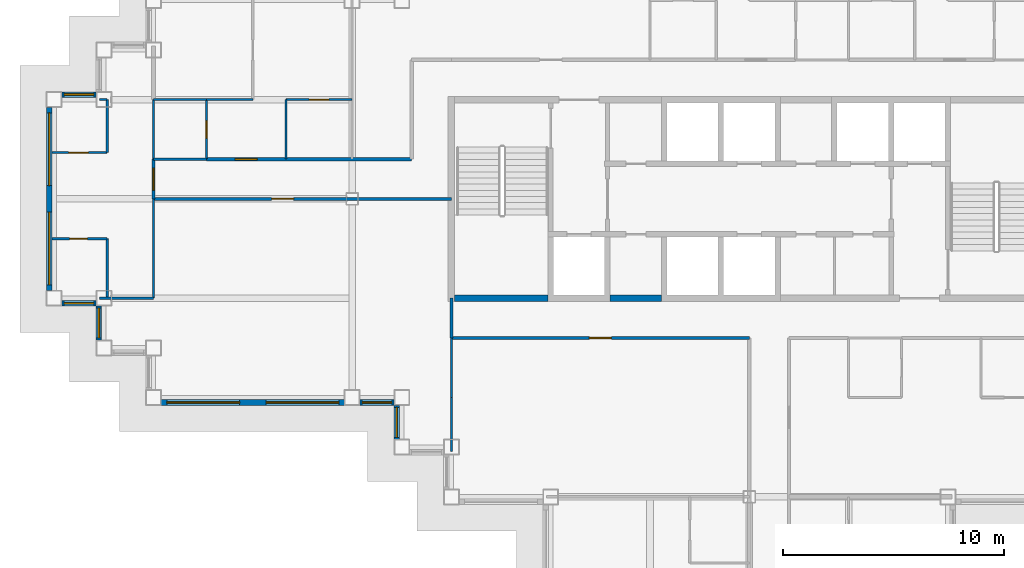
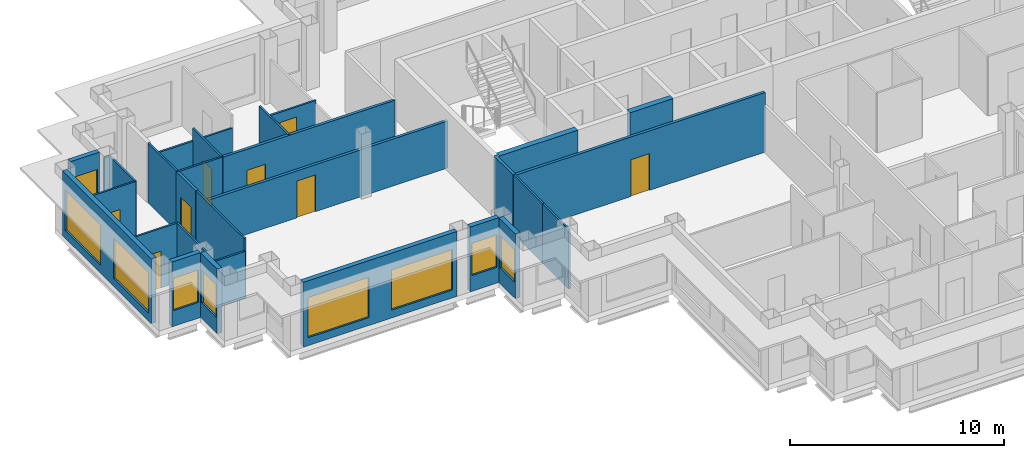
# One storey, part 3 of 12: 30 walls, 9 windows, 8 doors, 17 openings.
"""IFC4 building model written with IfcOpenShell, lengths in metres."""

from ifc_helpers import new_model, si_unit, direction, frame, frame_2d, origin, place, context, subcontext, project, spatial, rectangle, extrude, material, layer, layer_set, type_object, element, fill, save


model = new_model("IFC4")

# Units and contexts
model_context = context("Model", 3, precision=1e-05, world=origin(), true_north=direction((0.0, 1.0)))
body_context = subcontext(model_context, "Body", "Model", "MODEL_VIEW")
ifc_project = project(units=[si_unit("LENGTHUNIT", "METRE"), si_unit("AREAUNIT", "SQUARE_METRE"), si_unit("VOLUMEUNIT", "CUBIC_METRE"), si_unit("PLANEANGLEUNIT", "RADIAN"), si_unit("MASSUNIT", "GRAM", prefix="KILO")], contexts=[model_context])

# Site, building, storey
site_placement = place(None, origin())
site = spatial("IfcSite", under=ifc_project, at=site_placement, CompositionType="ELEMENT")
building_placement = place(site_placement, origin())
building = spatial("IfcBuilding", under=site, at=building_placement, Name="Caravel Reach Hotel and Residences", CompositionType="ELEMENT")
storey_placement = place(building_placement, frame((0.0, 0.0, 196.10009765625)))
storey = spatial("IfcBuildingStorey", under=building, at=storey_placement, Name="L49", CompositionType="ELEMENT", Elevation=196.10009765625)

# Wall, opening, door
ifc_material_1 = material(Name="Gypsum board on steel stud", Category="steel")
ifc_layer_1 = layer(ifc_material_1, 0.10009765625)
ifc_layer_set_1 = layer_set([ifc_layer_1], Name="Bathroom pod wall 100 mm")
wall_type_1 = type_object("IfcWallType", Name="Bathroom pod wall 100 mm", PredefinedType="PARTITIONING", material=ifc_layer_set_1)
wall_1_placement = place(storey_placement, frame((-0.10009765625, 25.199951171875, 0.0), z_axis=(0.0, 0.0, 1.0), x_axis=(1.0, 0.0, 0.0)))
wall_1 = element("IfcWall", 1, at=wall_1_placement, inside=storey, type_object=wall_type_1, Name="L49 wall w080", PredefinedType="PARTITIONING", context=body_context, shape_type="SweptSolid", body=[
    extrude(rectangle(XDim=2.5, YDim=0.10009765625, at=frame_2d((1.25, 0.0))), origin(), (0.0, 0.0, 1.0), 3.39990234375),
])
opening_1_placement = place(wall_1_placement, frame((0.800048828125, 0.0, 0.0)))
opening_1 = element("IfcOpeningElement", 2, at=opening_1_placement, cuts=wall_1, Name="Opening D49-044", PredefinedType="OPENING", context=body_context, shape_type="SweptSolid", body=[
    extrude(rectangle(XDim=0.800048828125, YDim=2.10009765625, at=frame_2d((0.39990234375, 1.050048828125))), frame((0.0, 0.06005859375, 0.0), z_axis=(0.0, -1.0, 0.0), x_axis=(1.0, 0.0, 0.0)), (0.0, 0.0, 1.0), 0.1201171875),
])
ifc_material_2 = material(Name="Timber and steel door leaf", Category="steel")
door_type_1 = type_object("IfcDoorType", Name="Bathroom door 800 x 2100", OperationType="SINGLE_SWING_LEFT", PredefinedType="DOOR", material=ifc_material_2)
door_1_placement = place(opening_1_placement, origin())
door_1 = element("IfcDoor", 3, at=door_1_placement, inside=storey, type_object=door_type_1, Name="door D49-044", OperationType="SINGLE_SWING_RIGHT", OverallHeight=2.10009765625, OverallWidth=0.800048828125, PredefinedType="DOOR", context=body_context, shape_type="SweptSolid", body=[
    extrude(rectangle(XDim=0.800048828125, YDim=2.10009765625, at=frame_2d((0.39990234375, 1.050048828125))), frame((0.0, 0.02490234375, 0.0), z_axis=(0.0, -1.0, 0.0), x_axis=(1.0, 0.0, 0.0)), (0.0, 0.0, 1.0), 0.050048828125),
])
fill(opening_1, door_1)

# Walls
wall_2_placement = place(storey_placement, frame((4.5, 28.800048828125, 0.0), z_axis=(0.0, 0.0, 1.0), x_axis=(1.0, 0.0, 0.0)))
element("IfcWall", 4, at=wall_2_placement, inside=storey, type_object=wall_type_1, Name="L49 wall w081", PredefinedType="PARTITIONING", context=body_context, shape_type="SweptSolid", body=[
    extrude(rectangle(XDim=2.39990234375, YDim=0.10009765625, at=frame_2d((1.199951171875, 0.0))), origin(), (0.0, 0.0, 1.0), 3.39990234375),
])
wall_3_placement = place(storey_placement, frame((4.5, 31.5, 0.0), z_axis=(0.0, 0.0, 1.0), x_axis=(1.0, 0.0, 0.0)))
element("IfcWall", 5, at=wall_3_placement, inside=storey, type_object=wall_type_1, Name="L49 wall w082", PredefinedType="PARTITIONING", context=body_context, shape_type="SweptSolid", body=[
    extrude(rectangle(XDim=2.39990234375, YDim=0.10009765625, at=frame_2d((1.199951171875, 0.0))), origin(), (0.0, 0.0, 1.0), 2.679931640625),
])
for number, where, z_axis, x_axis, name in (
    (6, (2.39990234375, 22.5, 0.0), (0.0, 0.0, 1.0), (0.0, 1.0, 0.0), "L49 wall w092"),
    (7, (4.5, 28.800048828125, 0.0), (0.0, 0.0, 1.0), (0.0, 1.0, 0.0), "L49 wall w103"),
):
    element("IfcWall", number, at=place(storey_placement, frame(where, z_axis=z_axis, x_axis=x_axis)), inside=storey, type_object=wall_type_1, Name=name, PredefinedType="PARTITIONING", context=body_context, shape_type="SweptSolid", body=[
        extrude(rectangle(XDim=2.699951171875, YDim=0.10009765625, at=frame_2d((1.35009765625, 0.0))), origin(), (0.0, 0.0, 1.0), 3.39990234375),
    ])

# Wall, opening, door
wall_4_placement = place(storey_placement, frame((6.89990234375, 28.800048828125, 0.0), z_axis=(0.0, 0.0, 1.0), x_axis=(0.0, 1.0, 0.0)))
wall_4 = element("IfcWall", 8, at=wall_4_placement, inside=storey, type_object=wall_type_1, Name="L49 wall w107", PredefinedType="PARTITIONING", context=body_context, shape_type="SweptSolid", body=[
    extrude(rectangle(XDim=2.699951171875, YDim=0.10009765625, at=frame_2d((1.35009765625, 0.0))), origin(), (0.0, 0.0, 1.0), 3.39990234375),
])
opening_2_placement = place(wall_4_placement, frame((0.949951171875, 0.0, 0.0)))
opening_2 = element("IfcOpeningElement", 9, at=opening_2_placement, cuts=wall_4, Name="Opening D49-027", PredefinedType="OPENING", context=body_context, shape_type="SweptSolid", body=[
    extrude(rectangle(XDim=0.800048828125, YDim=2.10009765625, at=frame_2d((0.39990234375, 1.050048828125))), frame((0.0, 0.06005859375, 0.0), z_axis=(0.0, -1.0, 0.0), x_axis=(1.0, 0.0, 0.0)), (0.0, 0.0, 1.0), 0.1201171875),
])
door_2_placement = place(opening_2_placement, origin())
door_2 = element("IfcDoor", 10, at=door_2_placement, inside=storey, type_object=door_type_1, Name="door D49-027", OperationType="SINGLE_SWING_LEFT", OverallHeight=2.10009765625, OverallWidth=0.800048828125, PredefinedType="DOOR", context=body_context, shape_type="SweptSolid", body=[
    extrude(rectangle(XDim=0.800048828125, YDim=2.10009765625, at=frame_2d((0.39990234375, 1.050048828125))), frame((0.0, 0.02490234375, 0.0), z_axis=(0.0, -1.0, 0.0), x_axis=(1.0, 0.0, 0.0)), (0.0, 0.0, 1.0), 0.050048828125),
])
fill(opening_2, door_2)

# Walls
ifc_material_3 = material(Name="Concrete C60", Category="concrete")
ifc_layer_2 = layer(ifc_material_3, 0.300048828125)
ifc_layer_set_2 = layer_set([ifc_layer_2], Name="Core wall 300 mm EI 120")
wall_type_2 = type_object("IfcWallType", Name="Core wall 300 mm EI 120", PredefinedType="SHEAR", material=ifc_layer_set_2)
wall_5_placement = place(storey_placement, frame((18.14990234375, 22.5, 0.0), z_axis=(0.0, 0.0, 1.0), x_axis=(1.0, 0.0, 0.0)))
element("IfcWall", 11, at=wall_5_placement, inside=storey, type_object=wall_type_2, Name="L49 core wall S1", PredefinedType="SHEAR", context=body_context, shape_type="SweptSolid", body=[
    extrude(rectangle(XDim=4.22509765625, YDim=0.300048828125, at=frame_2d((2.112548828125, 0.0))), origin(), (0.0, 0.0, 1.0), 3.39990234375),
])
wall_6_placement = place(storey_placement, frame((25.196533203125, 22.5, 0.0), z_axis=(0.0, 0.0, 1.0), x_axis=(1.0, 0.0, 0.0)))
element("IfcWall", 12, at=wall_6_placement, inside=storey, type_object=wall_type_2, Name="L49 core wall S2", PredefinedType="SHEAR", context=body_context, shape_type="SweptSolid", body=[
    extrude(rectangle(XDim=2.3212890625, YDim=0.300048828125, at=frame_2d((1.16064453125, 0.0))), origin(), (0.0, 0.0, 1.0), 3.39990234375),
])

# Wall, opening, door
ifc_material_4 = material(Name="Gypsum board on steel stud, fire-rated", Category="steel")
ifc_layer_3 = layer(ifc_material_4, 0.14990234375)
ifc_layer_set_3 = layer_set([ifc_layer_3], Name="Corridor wall 150 mm EI 60")
wall_type_3 = type_object("IfcWallType", Name="Corridor wall 150 mm EI 60", PredefinedType="PARTITIONING", material=ifc_layer_set_3)
wall_7_placement = place(storey_placement, frame((18.0, 20.699951171875, 0.0), z_axis=(0.0, 0.0, 1.0), x_axis=(1.0, 0.0, 0.0)))
wall_7 = element("IfcWall", 13, at=wall_7_placement, inside=storey, type_object=wall_type_3, Name="L49 wall w005", PredefinedType="PARTITIONING", context=body_context, shape_type="SweptSolid", body=[
    extrude(rectangle(XDim=13.5, YDim=0.14990234375, at=frame_2d((6.75, 0.0))), origin(), (0.0, 0.0, 1.0), 3.39990234375),
])
opening_3_placement = place(wall_7_placement, frame((6.25, 0.0, 0.0)))
opening_3 = element("IfcOpeningElement", 14, at=opening_3_placement, cuts=wall_7, Name="Opening D49-031", PredefinedType="OPENING", context=body_context, shape_type="SweptSolid", body=[
    extrude(rectangle(XDim=1.0, YDim=2.10009765625, at=frame_2d((0.5, 1.050048828125))), frame((0.0, 0.0849609375, 0.0), z_axis=(0.0, -1.0, 0.0), x_axis=(1.0, 0.0, 0.0)), (0.0, 0.0, 1.0), 0.169921875),
])
ifc_material_5 = material(Name="Steel fire door leaf", Category="steel")
door_type_2 = type_object("IfcDoorType", Name="Fire door 1000 x 2100 EI 60", OperationType="SINGLE_SWING_LEFT", PredefinedType="DOOR", material=ifc_material_5)
door_3_placement = place(opening_3_placement, origin())
door_3 = element("IfcDoor", 15, at=door_3_placement, inside=storey, type_object=door_type_2, Name="door D49-031", OperationType="SINGLE_SWING_RIGHT", OverallHeight=2.10009765625, OverallWidth=1.0, PredefinedType="DOOR", context=body_context, shape_type="SweptSolid", body=[
    extrude(rectangle(XDim=1.0, YDim=2.10009765625, at=frame_2d((0.5, 1.050048828125))), frame((0.0, 0.02490234375, 0.0), z_axis=(0.0, -1.0, 0.0), x_axis=(1.0, 0.0, 0.0)), (0.0, 0.0, 1.0), 0.050048828125),
])
fill(opening_3, door_3)

wall_8_placement = place(storey_placement, frame((4.5, 27.0, 0.0), z_axis=(0.0, 0.0, 1.0), x_axis=(1.0, 0.0, 0.0)))
wall_8 = element("IfcWall", 16, at=wall_8_placement, inside=storey, type_object=wall_type_3, Name="L49 wall w007", PredefinedType="PARTITIONING", context=body_context, shape_type="SweptSolid", body=[
    extrude(rectangle(XDim=13.5, YDim=0.14990234375, at=frame_2d((6.75, 0.0))), origin(), (0.0, 0.0, 1.0), 2.679931640625),
])
opening_4_placement = place(wall_8_placement, frame((5.35009765625, 0.0, 0.0)))
opening_4 = element("IfcOpeningElement", 17, at=opening_4_placement, cuts=wall_8, Name="Opening D49-030", PredefinedType="OPENING", context=body_context, shape_type="SweptSolid", body=[
    extrude(rectangle(XDim=1.0, YDim=2.10009765625, at=frame_2d((0.5, 1.050048828125))), frame((0.0, 0.0849609375, 0.0), z_axis=(0.0, -1.0, 0.0), x_axis=(1.0, 0.0, 0.0)), (0.0, 0.0, 1.0), 0.169921875),
])
door_4_placement = place(opening_4_placement, origin())
door_4 = element("IfcDoor", 18, at=door_4_placement, inside=storey, type_object=door_type_2, Name="door D49-030", OperationType="SINGLE_SWING_LEFT", OverallHeight=2.10009765625, OverallWidth=1.0, PredefinedType="DOOR", context=body_context, shape_type="SweptSolid", body=[
    extrude(rectangle(XDim=1.0, YDim=2.10009765625, at=frame_2d((0.5, 1.050048828125))), frame((0.0, 0.02490234375, 0.0), z_axis=(0.0, -1.0, 0.0), x_axis=(1.0, 0.0, 0.0)), (0.0, 0.0, 1.0), 0.050048828125),
])
fill(opening_4, door_4)

wall_9_placement = place(storey_placement, frame((6.89990234375, 28.800048828125, 0.0), z_axis=(0.0, 0.0, 1.0), x_axis=(1.0, 0.0, 0.0)))
wall_9 = element("IfcWall", 19, at=wall_9_placement, inside=storey, type_object=wall_type_3, Name="L49 wall w009", PredefinedType="PARTITIONING", context=body_context, shape_type="SweptSolid", body=[
    extrude(rectangle(XDim=9.299072265625, YDim=0.14990234375, at=frame_2d((4.6494140625, 0.0))), origin(), (0.0, 0.0, 1.0), 3.39990234375),
])
opening_5_placement = place(wall_9_placement, frame((1.300048828125, 0.0, 0.0)))
opening_5 = element("IfcOpeningElement", 20, at=opening_5_placement, cuts=wall_9, Name="Opening D49-026", PredefinedType="OPENING", context=body_context, shape_type="SweptSolid", body=[
    extrude(rectangle(XDim=1.0, YDim=2.199951171875, at=frame_2d((0.5, 1.10009765625))), frame((0.0, 0.0849609375, 0.0), z_axis=(0.0, -1.0, 0.0), x_axis=(1.0, 0.0, 0.0)), (0.0, 0.0, 1.0), 0.169921875),
])
ifc_material_6 = material(Name="Steel fire door leaf", Category="steel")
door_type_3 = type_object("IfcDoorType", Name="Flat entrance door 1000 x 2200 EI 60", OperationType="SINGLE_SWING_LEFT", PredefinedType="DOOR", material=ifc_material_6)
door_5_placement = place(opening_5_placement, origin())
door_5 = element("IfcDoor", 21, at=door_5_placement, inside=storey, type_object=door_type_3, Name="door D49-026", OperationType="SINGLE_SWING_RIGHT", OverallHeight=2.199951171875, OverallWidth=1.0, PredefinedType="DOOR", context=body_context, shape_type="SweptSolid", body=[
    extrude(rectangle(XDim=1.0, YDim=2.199951171875, at=frame_2d((0.5, 1.10009765625))), frame((0.0, 0.02490234375, 0.0), z_axis=(0.0, -1.0, 0.0), x_axis=(1.0, 0.0, 0.0)), (0.0, 0.0, 1.0), 0.050048828125),
])
fill(opening_5, door_5)

# Wall
wall_10_placement = place(storey_placement, frame((18.0, 20.699951171875, 0.0), z_axis=(0.0, 0.0, 1.0), x_axis=(0.0, 1.0, 0.0)))
element("IfcWall", 22, at=wall_10_placement, inside=storey, type_object=wall_type_3, Name="L49 wall w019", PredefinedType="PARTITIONING", context=body_context, shape_type="SweptSolid", body=[
    extrude(rectangle(XDim=1.800048828125, YDim=0.14990234375, at=frame_2d((0.89990234375, 0.0))), origin(), (0.0, 0.0, 1.0), 3.39990234375),
])

# Wall, opening, door
wall_11_placement = place(storey_placement, frame((4.5, 27.0, 0.0), z_axis=(0.0, 0.0, 1.0), x_axis=(0.0, 1.0, 0.0)))
wall_11 = element("IfcWall", 23, at=wall_11_placement, inside=storey, type_object=wall_type_3, Name="L49 wall w026", PredefinedType="PARTITIONING", context=body_context, shape_type="SweptSolid", body=[
    extrude(rectangle(XDim=1.800048828125, YDim=0.14990234375, at=frame_2d((0.89990234375, 0.0))), origin(), (0.0, 0.0, 1.0), 3.39990234375),
])
opening_6_placement = place(wall_11_placement, frame((0.39990234375, 0.0, 0.0)))
opening_6 = element("IfcOpeningElement", 24, at=opening_6_placement, cuts=wall_11, Name="Opening D49-043", PredefinedType="OPENING", context=body_context, shape_type="SweptSolid", body=[
    extrude(rectangle(XDim=1.0, YDim=2.199951171875, at=frame_2d((0.5, 1.10009765625))), frame((0.0, 0.0849609375, 0.0), z_axis=(0.0, -1.0, 0.0), x_axis=(1.0, 0.0, 0.0)), (0.0, 0.0, 1.0), 0.169921875),
])
door_6_placement = place(opening_6_placement, origin())
door_6 = element("IfcDoor", 25, at=door_6_placement, inside=storey, type_object=door_type_3, Name="door D49-043", OperationType="SINGLE_SWING_RIGHT", OverallHeight=2.199951171875, OverallWidth=1.0, PredefinedType="DOOR", context=body_context, shape_type="SweptSolid", body=[
    extrude(rectangle(XDim=1.0, YDim=2.199951171875, at=frame_2d((0.5, 1.10009765625))), frame((0.0, 0.02490234375, 0.0), z_axis=(0.0, -1.0, 0.0), x_axis=(1.0, 0.0, 0.0)), (0.0, 0.0, 1.0), 0.050048828125),
])
fill(opening_6, door_6)

# Wall, opening, window
ifc_material_7 = material(Name="Insulated rainscreen wall, aluminium cladding", Category="aluminium")
ifc_layer_4 = layer(ifc_material_7, 0.25)
ifc_layer_set_4 = layer_set([ifc_layer_4], Name="EW1 Tower rainscreen wall")
wall_type_4 = type_object("IfcWallType", Name="EW1 Tower rainscreen wall", PredefinedType="SOLIDWALL", material=ifc_layer_set_4)
wall_12_placement = place(storey_placement, frame((1.89990234375, 31.72509765625, 0.0), z_axis=(0.0, 0.0, 1.0), x_axis=(-1.0, 0.0, 0.0)))
wall_12 = element("IfcWall", 26, at=wall_12_placement, inside=storey, type_object=wall_type_4, Name="External wall L49 N19.1", PredefinedType="SOLIDWALL", context=body_context, shape_type="SweptSolid", body=[
    extrude(rectangle(XDim=1.5498046875, YDim=0.25, at=frame_2d((0.77490234375, 0.0))), origin(), (0.0, 0.0, 1.0), 3.699951171875),
])
opening_7_placement = place(wall_12_placement, frame((0.10009765625, 0.0, 0.89990234375)))
opening_7 = element("IfcOpeningElement", 27, at=opening_7_placement, cuts=wall_12, Name="Opening WN21", PredefinedType="OPENING", context=body_context, shape_type="SweptSolid", body=[
    extrude(rectangle(XDim=1.35009765625, YDim=1.85009765625, at=frame_2d((0.675048828125, 0.925048828125))), frame((0.0, 0.135009765625, 0.0), z_axis=(0.0, -1.0, 0.0), x_axis=(1.0, 0.0, 0.0)), (0.0, 0.0, 1.0), 0.27001953125),
])
ifc_material_8 = material(Name="Dark low-e glazing in black aluminium frame", Category="aluminium")
window_type_1 = type_object("IfcWindowType", Name="Residence bedroom window 1350 x 1850", PartitioningType="SINGLE_PANEL", PredefinedType="WINDOW", material=ifc_material_8)
window_1_placement = place(opening_7_placement, origin())
window_1 = element("IfcWindow", 28, at=window_1_placement, inside=storey, type_object=window_type_1, Name="Window L49 N19.1.1", OverallHeight=1.85009765625, OverallWidth=1.35009765625, PartitioningType="SINGLE_PANEL", PredefinedType="WINDOW", context=body_context, shape_type="SweptSolid", body=[
    extrude(rectangle(XDim=1.35009765625, YDim=1.85009765625, at=frame_2d((0.675048828125, 0.925048828125))), frame((0.0, 0.030029296875, 0.0), z_axis=(0.0, -1.0, 0.0), x_axis=(1.0, 0.0, 0.0)), (0.0, 0.0, 1.0), 0.06005859375),
])
fill(opening_7, window_1)

# Wall, openings, windows
wall_13_placement = place(storey_placement, frame((-0.22509765625, 31.14990234375, 0.0), z_axis=(0.0, 0.0, 1.0), x_axis=(0.0, -1.0, 0.0)))
wall_13 = element("IfcWall", 29, at=wall_13_placement, inside=storey, type_object=wall_type_4, Name="External wall L49 W20.1", PredefinedType="SOLIDWALL", context=body_context, shape_type="SweptSolid", body=[
    extrude(rectangle(XDim=8.2998046875, YDim=0.25, at=frame_2d((4.14990234375, 0.0))), origin(), (0.0, 0.0, 1.0), 3.699951171875),
])
opening_8_placement = place(wall_13_placement, frame((0.25, 0.0, 0.449951171875)))
opening_8 = element("IfcOpeningElement", 30, at=opening_8_placement, cuts=wall_13, Name="Opening WN15", PredefinedType="OPENING", context=body_context, shape_type="SweptSolid", body=[
    extrude(rectangle(XDim=3.300048828125, YDim=2.300048828125, at=frame_2d((1.64990234375, 1.14990234375))), frame((0.0, 0.135009765625, 0.0), z_axis=(0.0, -1.0, 0.0), x_axis=(1.0, 0.0, 0.0)), (0.0, 0.0, 1.0), 0.27001953125),
])
opening_9_placement = place(wall_13_placement, frame((4.75, 0.0, 0.449951171875)))
opening_9 = element("IfcOpeningElement", 31, at=opening_9_placement, cuts=wall_13, Name="Opening WN15", PredefinedType="OPENING", context=body_context, shape_type="SweptSolid", body=[
    extrude(rectangle(XDim=3.300048828125, YDim=2.300048828125, at=frame_2d((1.64990234375, 1.14990234375))), frame((0.0, 0.135009765625, 0.0), z_axis=(0.0, -1.0, 0.0), x_axis=(1.0, 0.0, 0.0)), (0.0, 0.0, 1.0), 0.27001953125),
])
ifc_material_9 = material(Name="Dark low-e glazing in black aluminium frame", Category="aluminium")
window_type_2 = type_object("IfcWindowType", Name="Residence living window 3300 x 2300", PartitioningType="SINGLE_PANEL", PredefinedType="WINDOW", material=ifc_material_9)
window_2_placement = place(opening_8_placement, origin())
window_2 = element("IfcWindow", 32, at=window_2_placement, inside=storey, type_object=window_type_2, Name="Window L49 W20.1.1", OverallHeight=2.300048828125, OverallWidth=3.300048828125, PartitioningType="SINGLE_PANEL", PredefinedType="WINDOW", context=body_context, shape_type="SweptSolid", body=[
    extrude(rectangle(XDim=3.300048828125, YDim=2.300048828125, at=frame_2d((1.64990234375, 1.14990234375))), frame((0.0, 0.030029296875, 0.0), z_axis=(0.0, -1.0, 0.0), x_axis=(1.0, 0.0, 0.0)), (0.0, 0.0, 1.0), 0.06005859375),
])
fill(opening_8, window_2)
window_3_placement = place(opening_9_placement, origin())
window_3 = element("IfcWindow", 33, at=window_3_placement, inside=storey, type_object=window_type_2, Name="Window L49 W20.1.2", OverallHeight=2.300048828125, OverallWidth=3.300048828125, PartitioningType="SINGLE_PANEL", PredefinedType="WINDOW", context=body_context, shape_type="SweptSolid", body=[
    extrude(rectangle(XDim=3.300048828125, YDim=2.300048828125, at=frame_2d((1.64990234375, 1.14990234375))), frame((0.0, 0.030029296875, 0.0), z_axis=(0.0, -1.0, 0.0), x_axis=(1.0, 0.0, 0.0)), (0.0, 0.0, 1.0), 0.06005859375),
])
fill(opening_9, window_3)

# Wall, opening, window
wall_14_placement = place(storey_placement, frame((0.35009765625, 22.27490234375, 0.0), z_axis=(0.0, 0.0, 1.0), x_axis=(1.0, 0.0, 0.0)))
wall_14 = element("IfcWall", 34, at=wall_14_placement, inside=storey, type_object=wall_type_4, Name="External wall L49 S21.1", PredefinedType="SOLIDWALL", context=body_context, shape_type="SweptSolid", body=[
    extrude(rectangle(XDim=1.5498046875, YDim=0.25, at=frame_2d((0.77490234375, 0.0))), origin(), (0.0, 0.0, 1.0), 3.699951171875),
])
opening_10_placement = place(wall_14_placement, frame((0.10009765625, 0.0, 0.89990234375)))
opening_10 = element("IfcOpeningElement", 35, at=opening_10_placement, cuts=wall_14, Name="Opening WN21", PredefinedType="OPENING", context=body_context, shape_type="SweptSolid", body=[
    extrude(rectangle(XDim=1.35009765625, YDim=1.85009765625, at=frame_2d((0.675048828125, 0.925048828125))), frame((0.0, 0.135009765625, 0.0), z_axis=(0.0, -1.0, 0.0), x_axis=(1.0, 0.0, 0.0)), (0.0, 0.0, 1.0), 0.27001953125),
])
window_4_placement = place(opening_10_placement, origin())
window_4 = element("IfcWindow", 36, at=window_4_placement, inside=storey, type_object=window_type_1, Name="Window L49 S21.1.1", OverallHeight=1.85009765625, OverallWidth=1.35009765625, PartitioningType="SINGLE_PANEL", PredefinedType="WINDOW", context=body_context, shape_type="SweptSolid", body=[
    extrude(rectangle(XDim=1.35009765625, YDim=1.85009765625, at=frame_2d((0.675048828125, 0.925048828125))), frame((0.0, 0.030029296875, 0.0), z_axis=(0.0, -1.0, 0.0), x_axis=(1.0, 0.0, 0.0)), (0.0, 0.0, 1.0), 0.06005859375),
])
fill(opening_10, window_4)

wall_15_placement = place(storey_placement, frame((2.02490234375, 22.14990234375, 0.0), z_axis=(0.0, 0.0, 1.0), x_axis=(0.0, -1.0, 0.0)))
wall_15 = element("IfcWall", 37, at=wall_15_placement, inside=storey, type_object=wall_type_4, Name="External wall L49 W22.1", PredefinedType="SOLIDWALL", context=body_context, shape_type="SweptSolid", body=[
    extrude(rectangle(XDim=1.5498046875, YDim=0.25, at=frame_2d((0.77490234375, 0.0))), origin(), (0.0, 0.0, 1.0), 3.699951171875),
])
opening_11_placement = place(wall_15_placement, frame((0.10009765625, 0.0, 0.89990234375)))
opening_11 = element("IfcOpeningElement", 38, at=opening_11_placement, cuts=wall_15, Name="Opening WN21", PredefinedType="OPENING", context=body_context, shape_type="SweptSolid", body=[
    extrude(rectangle(XDim=1.35009765625, YDim=1.85009765625, at=frame_2d((0.675048828125, 0.925048828125))), frame((0.0, 0.135009765625, 0.0), z_axis=(0.0, -1.0, 0.0), x_axis=(1.0, 0.0, 0.0)), (0.0, 0.0, 1.0), 0.27001953125),
])
window_5_placement = place(opening_11_placement, origin())
window_5 = element("IfcWindow", 39, at=window_5_placement, inside=storey, type_object=window_type_1, Name="Window L49 W22.1.1", OverallHeight=1.85009765625, OverallWidth=1.35009765625, PartitioningType="SINGLE_PANEL", PredefinedType="WINDOW", context=body_context, shape_type="SweptSolid", body=[
    extrude(rectangle(XDim=1.35009765625, YDim=1.85009765625, at=frame_2d((0.675048828125, 0.925048828125))), frame((0.0, 0.030029296875, 0.0), z_axis=(0.0, -1.0, 0.0), x_axis=(1.0, 0.0, 0.0)), (0.0, 0.0, 1.0), 0.06005859375),
])
fill(opening_11, window_5)

# Wall, openings, windows
wall_16_placement = place(storey_placement, frame((4.85009765625, 17.77490234375, 0.0), z_axis=(0.0, 0.0, 1.0), x_axis=(1.0, 0.0, 0.0)))
wall_16 = element("IfcWall", 40, at=wall_16_placement, inside=storey, type_object=wall_type_4, Name="External wall L49 S25.1", PredefinedType="SOLIDWALL", context=body_context, shape_type="SweptSolid", body=[
    extrude(rectangle(XDim=8.2998046875, YDim=0.25, at=frame_2d((4.14990234375, 0.0))), origin(), (0.0, 0.0, 1.0), 3.699951171875),
])
opening_12_placement = place(wall_16_placement, frame((0.25, 0.0, 0.449951171875)))
opening_12 = element("IfcOpeningElement", 41, at=opening_12_placement, cuts=wall_16, Name="Opening WN15", PredefinedType="OPENING", context=body_context, shape_type="SweptSolid", body=[
    extrude(rectangle(XDim=3.300048828125, YDim=2.300048828125, at=frame_2d((1.64990234375, 1.14990234375))), frame((0.0, 0.135009765625, 0.0), z_axis=(0.0, -1.0, 0.0), x_axis=(1.0, 0.0, 0.0)), (0.0, 0.0, 1.0), 0.27001953125),
])
opening_13_placement = place(wall_16_placement, frame((4.75, 0.0, 0.449951171875)))
opening_13 = element("IfcOpeningElement", 42, at=opening_13_placement, cuts=wall_16, Name="Opening WN15", PredefinedType="OPENING", context=body_context, shape_type="SweptSolid", body=[
    extrude(rectangle(XDim=3.300048828125, YDim=2.300048828125, at=frame_2d((1.64990234375, 1.14990234375))), frame((0.0, 0.135009765625, 0.0), z_axis=(0.0, -1.0, 0.0), x_axis=(1.0, 0.0, 0.0)), (0.0, 0.0, 1.0), 0.27001953125),
])
window_6_placement = place(opening_12_placement, origin())
window_6 = element("IfcWindow", 43, at=window_6_placement, inside=storey, type_object=window_type_2, Name="Window L49 S25.1.1", OverallHeight=2.300048828125, OverallWidth=3.300048828125, PartitioningType="SINGLE_PANEL", PredefinedType="WINDOW", context=body_context, shape_type="SweptSolid", body=[
    extrude(rectangle(XDim=3.300048828125, YDim=2.300048828125, at=frame_2d((1.64990234375, 1.14990234375))), frame((0.0, 0.030029296875, 0.0), z_axis=(0.0, -1.0, 0.0), x_axis=(1.0, 0.0, 0.0)), (0.0, 0.0, 1.0), 0.06005859375),
])
fill(opening_12, window_6)
window_7_placement = place(opening_13_placement, origin())
window_7 = element("IfcWindow", 44, at=window_7_placement, inside=storey, type_object=window_type_2, Name="Window L49 S25.1.2", OverallHeight=2.300048828125, OverallWidth=3.300048828125, PartitioningType="SINGLE_PANEL", PredefinedType="WINDOW", context=body_context, shape_type="SweptSolid", body=[
    extrude(rectangle(XDim=3.300048828125, YDim=2.300048828125, at=frame_2d((1.64990234375, 1.14990234375))), frame((0.0, 0.030029296875, 0.0), z_axis=(0.0, -1.0, 0.0), x_axis=(1.0, 0.0, 0.0)), (0.0, 0.0, 1.0), 0.06005859375),
])
fill(opening_13, window_7)

# Wall, opening, window
wall_17_placement = place(storey_placement, frame((13.85009765625, 17.77490234375, 0.0), z_axis=(0.0, 0.0, 1.0), x_axis=(1.0, 0.0, 0.0)))
wall_17 = element("IfcWall", 45, at=wall_17_placement, inside=storey, type_object=wall_type_4, Name="External wall L49 S25.2", PredefinedType="SOLIDWALL", context=body_context, shape_type="SweptSolid", body=[
    extrude(rectangle(XDim=1.5498046875, YDim=0.25, at=frame_2d((0.77490234375, 0.0))), origin(), (0.0, 0.0, 1.0), 3.699951171875),
])
opening_14_placement = place(wall_17_placement, frame((0.10009765625, 0.0, 0.89990234375)))
opening_14 = element("IfcOpeningElement", 46, at=opening_14_placement, cuts=wall_17, Name="Opening WN21", PredefinedType="OPENING", context=body_context, shape_type="SweptSolid", body=[
    extrude(rectangle(XDim=1.35009765625, YDim=1.85009765625, at=frame_2d((0.675048828125, 0.925048828125))), frame((0.0, 0.135009765625, 0.0), z_axis=(0.0, -1.0, 0.0), x_axis=(1.0, 0.0, 0.0)), (0.0, 0.0, 1.0), 0.27001953125),
])
window_8_placement = place(opening_14_placement, origin())
window_8 = element("IfcWindow", 47, at=window_8_placement, inside=storey, type_object=window_type_1, Name="Window L49 S25.2.1", OverallHeight=1.85009765625, OverallWidth=1.35009765625, PartitioningType="SINGLE_PANEL", PredefinedType="WINDOW", context=body_context, shape_type="SweptSolid", body=[
    extrude(rectangle(XDim=1.35009765625, YDim=1.85009765625, at=frame_2d((0.675048828125, 0.925048828125))), frame((0.0, 0.030029296875, 0.0), z_axis=(0.0, -1.0, 0.0), x_axis=(1.0, 0.0, 0.0)), (0.0, 0.0, 1.0), 0.06005859375),
])
fill(opening_14, window_8)

wall_18_placement = place(storey_placement, frame((15.52490234375, 17.64990234375, 0.0), z_axis=(0.0, 0.0, 1.0), x_axis=(0.0, -1.0, 0.0)))
wall_18 = element("IfcWall", 48, at=wall_18_placement, inside=storey, type_object=wall_type_4, Name="External wall L49 W26.1", PredefinedType="SOLIDWALL", context=body_context, shape_type="SweptSolid", body=[
    extrude(rectangle(XDim=1.5498046875, YDim=0.25, at=frame_2d((0.77490234375, 0.0))), origin(), (0.0, 0.0, 1.0), 3.699951171875),
])
opening_15_placement = place(wall_18_placement, frame((0.10009765625, 0.0, 0.89990234375)))
opening_15 = element("IfcOpeningElement", 49, at=opening_15_placement, cuts=wall_18, Name="Opening WN21", PredefinedType="OPENING", context=body_context, shape_type="SweptSolid", body=[
    extrude(rectangle(XDim=1.35009765625, YDim=1.85009765625, at=frame_2d((0.675048828125, 0.925048828125))), frame((0.0, 0.135009765625, 0.0), z_axis=(0.0, -1.0, 0.0), x_axis=(1.0, 0.0, 0.0)), (0.0, 0.0, 1.0), 0.27001953125),
])
window_9_placement = place(opening_15_placement, origin())
window_9 = element("IfcWindow", 50, at=window_9_placement, inside=storey, type_object=window_type_1, Name="Window L49 W26.1.1", OverallHeight=1.85009765625, OverallWidth=1.35009765625, PartitioningType="SINGLE_PANEL", PredefinedType="WINDOW", context=body_context, shape_type="SweptSolid", body=[
    extrude(rectangle(XDim=1.35009765625, YDim=1.85009765625, at=frame_2d((0.675048828125, 0.925048828125))), frame((0.0, 0.030029296875, 0.0), z_axis=(0.0, -1.0, 0.0), x_axis=(1.0, 0.0, 0.0)), (0.0, 0.0, 1.0), 0.06005859375),
])
fill(opening_15, window_9)

# Wall
ifc_material_10 = material(Name="Gypsum board on steel stud", Category="steel")
ifc_layer_5 = layer(ifc_material_10, 0.10009765625)
ifc_layer_set_5 = layer_set([ifc_layer_5], Name="Partition 100 mm")
wall_type_5 = type_object("IfcWallType", Name="Partition 100 mm", PredefinedType="PARTITIONING", material=ifc_layer_set_5)
wall_19_placement = place(storey_placement, frame((2.06005859375, 22.5, 0.0), z_axis=(0.0, 0.0, 1.0), x_axis=(1.0, 0.0, 0.0)))
element("IfcWall", 51, at=wall_19_placement, inside=storey, type_object=wall_type_5, Name="L49 wall w034", PredefinedType="PARTITIONING", context=body_context, shape_type="SweptSolid", body=[
    extrude(rectangle(XDim=2.43896484375, YDim=0.10009765625, at=frame_2d((1.219482421875, 0.0))), origin(), (0.0, 0.0, 1.0), 2.679931640625),
])

# Wall, opening, door
wall_20_placement = place(storey_placement, frame((-0.10009765625, 29.10009765625, 0.0), z_axis=(0.0, 0.0, 1.0), x_axis=(1.0, 0.0, 0.0)))
wall_20 = element("IfcWall", 52, at=wall_20_placement, inside=storey, type_object=wall_type_5, Name="L49 wall w035", PredefinedType="PARTITIONING", context=body_context, shape_type="SweptSolid", body=[
    extrude(rectangle(XDim=2.5, YDim=0.10009765625, at=frame_2d((1.25, 0.0))), origin(), (0.0, 0.0, 1.0), 3.39990234375),
])
opening_16_placement = place(wall_20_placement, frame((0.75, 0.0, 0.0)))
opening_16 = element("IfcOpeningElement", 53, at=opening_16_placement, cuts=wall_20, Name="Opening D49-045", PredefinedType="OPENING", context=body_context, shape_type="SweptSolid", body=[
    extrude(rectangle(XDim=0.89990234375, YDim=2.10009765625, at=frame_2d((0.449951171875, 1.050048828125))), frame((0.0, 0.06005859375, 0.0), z_axis=(0.0, -1.0, 0.0), x_axis=(1.0, 0.0, 0.0)), (0.0, 0.0, 1.0), 0.1201171875),
])
ifc_material_11 = material(Name="Timber and steel door leaf", Category="steel")
door_type_4 = type_object("IfcDoorType", Name="Door 900 x 2100 timber", OperationType="SINGLE_SWING_LEFT", PredefinedType="DOOR", material=ifc_material_11)
door_7_placement = place(opening_16_placement, origin())
door_7 = element("IfcDoor", 54, at=door_7_placement, inside=storey, type_object=door_type_4, Name="door D49-045", OperationType="SINGLE_SWING_LEFT", OverallHeight=2.10009765625, OverallWidth=0.89990234375, PredefinedType="DOOR", context=body_context, shape_type="SweptSolid", body=[
    extrude(rectangle(XDim=0.89990234375, YDim=2.10009765625, at=frame_2d((0.449951171875, 1.050048828125))), frame((0.0, 0.02490234375, 0.0), z_axis=(0.0, -1.0, 0.0), x_axis=(1.0, 0.0, 0.0)), (0.0, 0.0, 1.0), 0.050048828125),
])
fill(opening_16, door_7)

# Wall
wall_21_placement = place(storey_placement, frame((6.89990234375, 31.5, 0.0), z_axis=(0.0, 0.0, 1.0), x_axis=(1.0, 0.0, 0.0)))
element("IfcWall", 55, at=wall_21_placement, inside=storey, type_object=wall_type_5, Name="L49 wall w036", PredefinedType="PARTITIONING", context=body_context, shape_type="SweptSolid", body=[
    extrude(rectangle(XDim=2.10009765625, YDim=0.10009765625, at=frame_2d((1.050048828125, 0.0))), origin(), (0.0, 0.0, 1.0), 2.679931640625),
])

# Wall, opening, door
wall_22_placement = place(storey_placement, frame((10.5, 31.5, 0.0), z_axis=(0.0, 0.0, 1.0), x_axis=(1.0, 0.0, 0.0)))
wall_22 = element("IfcWall", 56, at=wall_22_placement, inside=storey, type_object=wall_type_5, Name="L49 wall w037", PredefinedType="PARTITIONING", context=body_context, shape_type="SweptSolid", body=[
    extrude(rectangle(XDim=3.0, YDim=0.10009765625, at=frame_2d((1.5, 0.0))), origin(), (0.0, 0.0, 1.0), 2.679931640625),
])
opening_17_placement = place(wall_22_placement, frame((1.050048828125, 0.0, 0.0)))
opening_17 = element("IfcOpeningElement", 57, at=opening_17_placement, cuts=wall_22, Name="Opening D49-028", PredefinedType="OPENING", context=body_context, shape_type="SweptSolid", body=[
    extrude(rectangle(XDim=0.89990234375, YDim=2.10009765625, at=frame_2d((0.449951171875, 1.050048828125))), frame((0.0, 0.06005859375, 0.0), z_axis=(0.0, -1.0, 0.0), x_axis=(1.0, 0.0, 0.0)), (0.0, 0.0, 1.0), 0.1201171875),
])
door_8_placement = place(opening_17_placement, origin())
door_8 = element("IfcDoor", 58, at=door_8_placement, inside=storey, type_object=door_type_4, Name="door D49-028", OperationType="SINGLE_SWING_RIGHT", OverallHeight=2.10009765625, OverallWidth=0.89990234375, PredefinedType="DOOR", context=body_context, shape_type="SweptSolid", body=[
    extrude(rectangle(XDim=0.89990234375, YDim=2.10009765625, at=frame_2d((0.449951171875, 1.050048828125))), frame((0.0, 0.02490234375, 0.0), z_axis=(0.0, -1.0, 0.0), x_axis=(1.0, 0.0, 0.0)), (0.0, 0.0, 1.0), 0.050048828125),
])
fill(opening_17, door_8)

# Walls
wall_23_placement = place(storey_placement, frame((2.06005859375, 31.5, 0.0), z_axis=(0.0, 0.0, 1.0), x_axis=(1.0, 0.0, 0.0)))
element("IfcWall", 59, at=wall_23_placement, inside=storey, type_object=wall_type_5, Name="L49 wall w038", PredefinedType="PARTITIONING", context=body_context, shape_type="SweptSolid", body=[
    extrude(rectangle(XDim=0.33984375, YDim=0.10009765625, at=frame_2d((0.169921875, 0.0))), origin(), (0.0, 0.0, 1.0), 3.39990234375),
])
wall_24_placement = place(storey_placement, frame((10.5, 28.800048828125, 0.0), z_axis=(0.0, 0.0, 1.0), x_axis=(0.0, 1.0, 0.0)))
element("IfcWall", 60, at=wall_24_placement, inside=storey, type_object=wall_type_5, Name="L49 wall w047", PredefinedType="PARTITIONING", context=body_context, shape_type="SweptSolid", body=[
    extrude(rectangle(XDim=2.699951171875, YDim=0.10009765625, at=frame_2d((1.35009765625, 0.0))), origin(), (0.0, 0.0, 1.0), 3.39990234375),
])
wall_25_placement = place(storey_placement, frame((18.0, 15.56005859375, 0.0), z_axis=(0.0, 0.0, 1.0), x_axis=(0.0, 1.0, 0.0)))
element("IfcWall", 61, at=wall_25_placement, inside=storey, type_object=wall_type_5, Name="L49 wall w050", PredefinedType="PARTITIONING", context=body_context, shape_type="SweptSolid", body=[
    extrude(rectangle(XDim=2.43896484375, YDim=0.10009765625, at=frame_2d((1.219482421875, 0.0))), origin(), (0.0, 0.0, 1.0), 3.39990234375),
])
wall_26_placement = place(storey_placement, frame((18.0, 18.0, 0.0), z_axis=(0.0, 0.0, 1.0), x_axis=(0.0, 1.0, 0.0)))
element("IfcWall", 62, at=wall_26_placement, inside=storey, type_object=wall_type_5, Name="L49 wall w051", PredefinedType="PARTITIONING", context=body_context, shape_type="SweptSolid", body=[
    extrude(rectangle(XDim=2.699951171875, YDim=0.10009765625, at=frame_2d((1.35009765625, 0.0))), origin(), (0.0, 0.0, 1.0), 3.39990234375),
])
wall_27_placement = place(storey_placement, frame((2.39990234375, 29.10009765625, 0.0), z_axis=(0.0, 0.0, 1.0), x_axis=(0.0, 1.0, 0.0)))
element("IfcWall", 63, at=wall_27_placement, inside=storey, type_object=wall_type_5, Name="L49 wall w052", PredefinedType="PARTITIONING", context=body_context, shape_type="SweptSolid", body=[
    extrude(rectangle(XDim=2.39990234375, YDim=0.10009765625, at=frame_2d((1.199951171875, 0.0))), origin(), (0.0, 0.0, 1.0), 3.39990234375),
])
wall_28_placement = place(storey_placement, frame((4.5, 22.5, 0.0), z_axis=(0.0, 0.0, 1.0), x_axis=(0.0, 1.0, 0.0)))
element("IfcWall", 64, at=wall_28_placement, inside=storey, type_object=wall_type_5, Name="L49 wall w064", PredefinedType="PARTITIONING", context=body_context, shape_type="SweptSolid", body=[
    extrude(rectangle(XDim=4.5, YDim=0.10009765625, at=frame_2d((2.25, 0.0))), origin(), (0.0, 0.0, 1.0), 3.39990234375),
])

save(model, "model.ifc")
